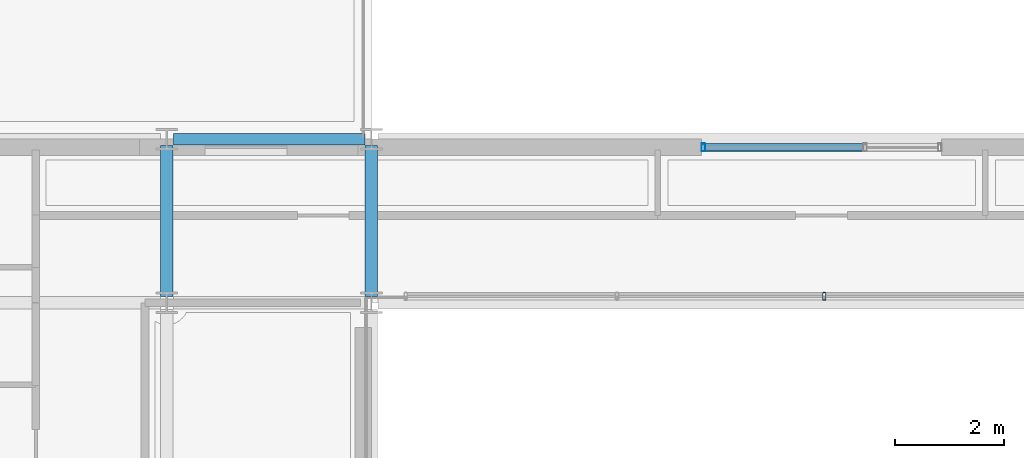
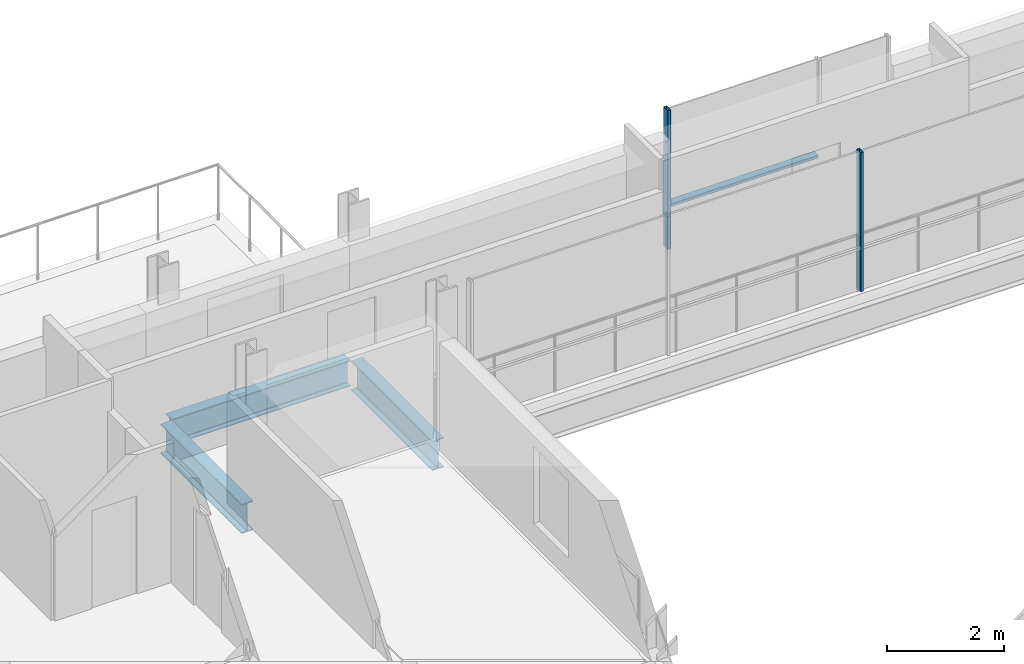
# One storey, part 11 of 38: 3 beams, 3 members, 2 elements without a shape of their own.
"""IFC4 building model written with IfcOpenShell, lengths in metres."""

import ifcopenshell
import ifcopenshell.guid

model = None  # the IFC model being written
_history = None  # IfcOwnerHistory: only IFC2X3 demands one
_inside = {}  # id of a spatial element -> (the spatial element, [elements in it])
_under = {}  # id of a project, library or spatial element -> (it, [spatial elements below it])
_declared = {}  # id of a project -> (the project, [libraries it declares])
_typed = {}  # id of a type object -> (the type object, [elements of that type])
_made_of = {}  # id of a material, layer set ... -> (it, [elements and type objects made of it])


def new_model(schema):
    """Start an empty IFC model of exactly this schema.

    Asked for "IFC4X3", IfcOpenShell would pick the latest addendum, in which some entities
    have other attributes; the version numbers below select the first issue.
    IFC2X3 requires an IfcOwnerHistory on every rooted entity: one is made here for all.
    """
    global model, _history
    if schema == "IFC4X3":
        model = ifcopenshell.file(schema_version=(4, 3, 0, 0))
    else:
        model = ifcopenshell.file(schema=schema)
    _inside.clear()
    _under.clear()
    _declared.clear()
    _typed.clear()
    _made_of.clear()
    _history = None
    if model.schema == "IFC2X3":
        org = make("IfcOrganization", Name="unknown")
        user = make(
            "IfcPersonAndOrganization",
            ThePerson=make("IfcPerson", FamilyName="unknown"),
            TheOrganization=org,
        )
        app = make(
            "IfcApplication",
            ApplicationDeveloper=org,
            Version="unknown",
            ApplicationFullName="unknown",
            ApplicationIdentifier="unknown",
        )
        _history = make(
            "IfcOwnerHistory",
            OwningUser=user,
            OwningApplication=app,
            ChangeAction="ADDED",
            CreationDate=0,
        )
    return model


def make(cls, **values):
    """One entity of the class cls with the attributes given. An attribute that is None is left unset."""
    return model.create_entity(
        cls, **{name: value for name, value in values.items() if value is not None}
    )


def rooted(cls, **values):
    """An entity with a GlobalId (a new one), such as an element, a storey or a relation."""
    return make(cls, GlobalId=ifcopenshell.guid.new(), OwnerHistory=_history, **values)


def si_unit(unit_type, name, prefix=None):
    """IfcSIUnit, for example si_unit("LENGTHUNIT", "METRE", prefix="MILLI")."""
    return make("IfcSIUnit", UnitType=unit_type, Prefix=prefix, Name=name)


def assignment(units):
    """IfcUnitAssignment: the units of a project."""
    return None if units is None else make("IfcUnitAssignment", Units=units)


def point(xyz):
    """IfcCartesianPoint."""
    return None if xyz is None else make("IfcCartesianPoint", Coordinates=xyz)


def direction(xyz):
    """IfcDirection."""
    return None if xyz is None else make("IfcDirection", DirectionRatios=xyz)


def frame(location, z_axis=None, x_axis=None):
    """IfcAxis2Placement3D, a coordinate frame: its origin and axes. An axis left out is left unset."""
    return make(
        "IfcAxis2Placement3D",
        Location=point(location),
        Axis=direction(z_axis),
        RefDirection=direction(x_axis),
    )


def frame_2d(location, x_axis=None):
    """IfcAxis2Placement2D, a coordinate frame in the plane: its origin and x axis."""
    return make(
        "IfcAxis2Placement2D", Location=point(location), RefDirection=direction(x_axis)
    )


def origin():
    """The frame at (0, 0, 0) with its axes left unset."""
    return frame((0.0, 0.0, 0.0))


def origin_2d():
    """The frame at (0, 0) in the plane with its x axis left unset."""
    return frame_2d((0.0, 0.0))


def place(relative_to, where):
    """IfcLocalPlacement: puts the frame where relative to a parent placement (None: the world)."""
    return make(
        "IfcLocalPlacement", PlacementRelTo=relative_to, RelativePlacement=where
    )


def context(
    kind, dimensions, precision=None, world=None, true_north=None, identifier=None
):
    """IfcGeometricRepresentationContext, for example the 3D "Model" context."""
    return make(
        "IfcGeometricRepresentationContext",
        ContextIdentifier=identifier,
        ContextType=kind,
        CoordinateSpaceDimension=dimensions,
        Precision=precision,
        WorldCoordinateSystem=world,
        TrueNorth=true_north,
    )


def subcontext(parent, identifier, kind, view, scale=None):
    """IfcGeometricRepresentationSubContext, for example "Body" below "Model"."""
    return make(
        "IfcGeometricRepresentationSubContext",
        ContextIdentifier=identifier,
        ContextType=kind,
        ParentContext=parent,
        TargetScale=scale,
        TargetView=view,
    )


def project(units=None, contexts=None):
    """IfcProject with its units and contexts."""
    return rooted(
        "IfcProject",
        Name="project",
        RepresentationContexts=contexts,
        UnitsInContext=assignment(units),
    )


def spatial(cls, under=None, at=None, **own):
    """A site, building, storey or space (cls), placed at a placement, below another one or the project."""
    s = rooted(cls, ObjectPlacement=at, **own)
    if under is not None:
        _under.setdefault(under.id(), (under, []))[1].append(s)
    return s


def profile(cls, at=None, kind="AREA", **sizes):
    """A parametric profile (cls). Its sizes go by their IFC names, for example OverallWidth=200.0."""
    return make(cls, ProfileType=kind, Position=at, **sizes)


def hollow_rectangle(**sizes):
    """IfcRectangleHollowProfileDef."""
    return profile("IfcRectangleHollowProfileDef", **sizes)


def i_section(**sizes):
    """IfcIShapeProfileDef."""
    return profile("IfcIShapeProfileDef", **sizes)


def extrude(swept, where, along, depth):
    """IfcExtrudedAreaSolid: the profile swept, set in the frame where, extruded along a direction by depth."""
    return make(
        "IfcExtrudedAreaSolid",
        SweptArea=swept,
        Position=where,
        ExtrudedDirection=direction(along),
        Depth=depth,
    )


def shape(context_of_items, identifier, shape_type, items):
    """IfcShapeRepresentation: the items that make up one representation, for example the "Body"."""
    return make(
        "IfcShapeRepresentation",
        ContextOfItems=context_of_items,
        RepresentationIdentifier=identifier,
        RepresentationType=shape_type,
        Items=items,
    )


def material(Name=None, Category=None):
    """IfcMaterial."""
    return make("IfcMaterial", Name=Name, Category=Category)


def layer(
    of_material, thickness, ventilated=None, Name=None, Category=None, Priority=None
):
    """IfcMaterialLayer: one layer of a wall or slab, of a material (None: an air gap)."""
    return make(
        "IfcMaterialLayer",
        Material=of_material,
        LayerThickness=thickness,
        IsVentilated=ventilated,
        Name=Name,
        Category=Category,
        Priority=Priority,
    )


def layer_set(layers, Name=None):
    """IfcMaterialLayerSet."""
    return make("IfcMaterialLayerSet", MaterialLayers=layers, LayerSetName=Name)


def material_profile(
    of_material, cross_section, Name=None, Category=None, Priority=None
):
    """IfcMaterialProfile: a cross section and its material."""
    return make(
        "IfcMaterialProfile",
        Name=Name,
        Material=of_material,
        Profile=cross_section,
        Priority=Priority,
        Category=Category,
    )


def profile_set(profiles, Name=None, composite=None):
    """IfcMaterialProfileSet."""
    return make(
        "IfcMaterialProfileSet",
        Name=Name,
        MaterialProfiles=profiles,
        CompositeProfile=composite,
    )


def made_of(thing, what):
    """Note that an element or type object is made of a material, layer set ...; save() writes the relation."""
    if what is not None:
        _made_of.setdefault(what.id(), (what, []))[1].append(thing)
    return thing


def type_object(cls, material=None, **own):
    """A type object (cls), such as IfcWallType, which elements share."""
    return made_of(rooted(cls, **own), material)


def element(
    cls,
    number,
    at=None,
    inside=None,
    cuts=None,
    type_object=None,
    material=None,
    context=None,
    identifier="Body",
    shape_type=None,
    held_by="IfcProductDefinitionShape",
    body=None,
    shapes=None,
    **own,
):
    """One element of the class cls, such as IfcWall. Its Tag is "e" and its number.

    at: its placement. inside: the storey or other place that contains it. cuts: it is an
    opening in that element (IfcRelVoidsElement). A single representation is given by context,
    identifier, shape_type and body (its items); several are given by shapes. held_by: the class
    of the entity that holds the representations. save() writes the other relations.
    """
    e = rooted(cls, Tag="e%d" % number, ObjectPlacement=at, **own)
    if body is not None:
        shapes = [shape(context, identifier, shape_type, body)]
    if shapes is not None:
        e.Representation = make(held_by, Representations=shapes)
    if inside is not None:
        _inside.setdefault(inside.id(), (inside, []))[1].append(e)
    if cuts is not None:
        rooted(
            "IfcRelVoidsElement", RelatingBuildingElement=cuts, RelatedOpeningElement=e
        )
    if type_object is not None:
        _typed.setdefault(type_object.id(), (type_object, []))[1].append(e)
    return made_of(e, material)


def aggregate(whole, parts):
    """IfcRelAggregates: a whole, such as a stair, and the parts it consists of."""
    return rooted("IfcRelAggregates", RelatingObject=whole, RelatedObjects=parts)


def save(model, path):
    """Write the relations noted so far, then the file.

    IfcRelAggregates (storeys below a building ...), IfcRelContainedInSpatialStructure (elements
    in a storey), IfcRelDefinesByType, IfcRelAssociatesMaterial and IfcRelDeclares: one each for
    every whole, place, type object, material and project.
    """
    for whole, parts in _under.values():
        aggregate(whole, parts)
    for where, things in _inside.values():
        rooted(
            "IfcRelContainedInSpatialStructure",
            RelatedElements=things,
            RelatingStructure=where,
        )
    for kind, things in _typed.values():
        rooted("IfcRelDefinesByType", RelatedObjects=things, RelatingType=kind)
    for what, things in _made_of.values():
        rooted("IfcRelAssociatesMaterial", RelatedObjects=things, RelatingMaterial=what)
    for by, libraries in _declared.values():
        rooted("IfcRelDeclares", RelatingContext=by, RelatedDefinitions=libraries)
    model.write(path)


model = new_model("IFC4")

# Units and contexts
model_context = context("Model", 3, precision=1e-05, world=origin(), true_north=direction((0.0, 1.0)))
body_context = subcontext(model_context, "Body", "Model", "MODEL_VIEW")
ifc_project = project(units=[si_unit("LENGTHUNIT", "METRE"), si_unit("AREAUNIT", "SQUARE_METRE"), si_unit("VOLUMEUNIT", "CUBIC_METRE"), si_unit("PLANEANGLEUNIT", "RADIAN"), si_unit("MASSUNIT", "GRAM", prefix="KILO")], contexts=[model_context])

# Site, building, storey
site_placement = place(None, origin())
site = spatial("IfcSite", under=ifc_project, at=site_placement, CompositionType="ELEMENT")
building_placement = place(site_placement, origin())
building = spatial("IfcBuilding", under=site, at=building_placement, Name="Brevholm Reach", CompositionType="ELEMENT")
storey_placement = place(building_placement, frame((0.0, 0.0, 172.800048828125)))
storey = spatial("IfcBuildingStorey", under=building, at=storey_placement, Name="L52", CompositionType="ELEMENT", Elevation=172.800048828125)

# Beams
ifc_material_1 = material(Name="Structural Steel S355J2", Category="steel")
ifc_material_profile_1 = material_profile(ifc_material_1, i_section(OverallWidth=0.209228515625, OverallDepth=0.533203125, WebThickness=0.010009765625, FlangeThickness=0.015625, FilletRadius=0.0126953125, at=origin_2d()), Name="UKB 533x210x92")
ifc_profile_set_1 = profile_set([ifc_material_profile_1], Name="Structural Steel S355J2")
beam_type_1 = type_object("IfcBeamType", Name="BM-SP533", PredefinedType="SPANDREL", material=ifc_profile_set_1)
beam_placement = place(storey_placement, frame((18.1201171875, 26.5, -0.4765625), z_axis=(1.0, 0.0, 0.0), x_axis=(0.0, 1.0, 0.0)))
element("IfcBeam", 1, at=beam_placement, inside=storey, type_object=beam_type_1, Name="L52 SP-02 Framing Beam", PredefinedType="SPANDREL", context=body_context, shape_type="SweptSolid", body=[
    extrude(i_section(OverallWidth=0.209228515625, OverallDepth=0.533203125, WebThickness=0.010009765625, FlangeThickness=0.015625, FilletRadius=0.0126953125, at=origin_2d()), origin(), (0.0, 0.0, 1.0), 3.509765625),
])
ifc_material_2 = material(Name="Structural Steel S355J2", Category="steel")
ifc_material_profile_2 = material_profile(ifc_material_2, i_section(OverallWidth=0.22900390625, OverallDepth=0.6123046875, WebThickness=0.011962890625, FlangeThickness=0.01953125, FilletRadius=0.0126953125, at=origin_2d()), Name="UKB 610x229x125")
ifc_profile_set_2 = profile_set([ifc_material_profile_2], Name="Structural Steel S355J2")
beam_type_2 = type_object("IfcBeamType", Name="BM-SP610", PredefinedType="SPANDREL", material=ifc_profile_set_2)
for number, where, z_axis, x_axis, name in (
    (2, (18.0, 23.6201171875, -0.51611328125), (0.0, 1.0, 0.0), (-1.0, 0.0, 0.0), "L52 SP-01 Framing Beam"),
    (3, (21.75, 23.6201171875, -0.51611328125), (0.0, 1.0, 0.0), (-1.0, 0.0, 0.0), "L52 SP-01 Framing Beam"),
):
    element("IfcBeam", number, at=place(storey_placement, frame(where, z_axis=z_axis, x_axis=x_axis)), inside=storey, type_object=beam_type_2, Name=name, PredefinedType="SPANDREL", context=body_context, shape_type="SweptSolid", body=[
        extrude(i_section(OverallWidth=0.22900390625, OverallDepth=0.6123046875, WebThickness=0.011962890625, FlangeThickness=0.01953125, FilletRadius=0.0126953125, at=origin_2d()), origin(), (0.0, 0.0, 1.0), 2.759765625),
    ])

# Curtain wall, member
ifc_material_3 = material(Name="Dark Anodised Aluminium 6063-T6 and Solar-Control Glass", Category="aluminium")
ifc_layer_1 = layer(ifc_material_3, 0.139892578125)
ifc_layer_set_1 = layer_set([ifc_layer_1], Name="Dark Anodised Aluminium 6063-T6 and Solar-Control Glass")
curtain_wall_type_1 = type_object("IfcCurtainWallType", Name="CW-02", PredefinedType="NOTDEFINED", material=ifc_layer_set_1)
curtain_wall_1_placement = place(storey_placement, origin())
curtain_wall_1 = element("IfcCurtainWall", 4, at=curtain_wall_1_placement, inside=storey, type_object=curtain_wall_type_1, Name="L52 Curtain Wall CW-02", PredefinedType="NOTDEFINED")
ifc_material_4 = material(Name="Dark Anodised Aluminium 6063-T6", Category="aluminium")
ifc_material_profile_3 = material_profile(ifc_material_4, hollow_rectangle(XDim=0.06005859375, YDim=0.139892578125, WallThickness=0.0048828125, InnerFilletRadius=0.0048828125, OuterFilletRadius=0.010009765625, at=origin_2d()), Name="RHS 140x60x5")
ifc_profile_set_3 = profile_set([ifc_material_profile_3], Name="Dark Anodised Aluminium 6063-T6")
member_type_1 = type_object("IfcMemberType", Name="CWM-140", PredefinedType="MULLION", material=ifc_profile_set_3)
member_1_placement = place(storey_placement, frame((30.050048828125, 23.6201171875, 0.0), z_axis=(0.0, 0.0, 1.0), x_axis=(-1.0, 0.0, 0.0)))
member_1 = element("IfcMember", 5, at=member_1_placement, type_object=member_type_1, Name="CM-140 Mullion 3", PredefinedType="MULLION", context=body_context, shape_type="SweptSolid", body=[
    extrude(hollow_rectangle(XDim=0.06005859375, YDim=0.139892578125, WallThickness=0.0048828125, InnerFilletRadius=0.0048828125, OuterFilletRadius=0.010009765625, at=origin_2d()), origin(), (0.0, 0.0, 1.0), 2.889892578125),
])
aggregate(curtain_wall_1, [member_1])

# Curtain wall, members
ifc_material_5 = material(Name="Dark Anodised Aluminium 6063-T6 and Solar-Control Glass", Category="aluminium")
ifc_layer_2 = layer(ifc_material_5, 0.14990234375)
ifc_layer_set_2 = layer_set([ifc_layer_2], Name="Dark Anodised Aluminium 6063-T6 and Solar-Control Glass")
curtain_wall_type_2 = type_object("IfcCurtainWallType", Name="CW-01", PredefinedType="NOTDEFINED", material=ifc_layer_set_2)
curtain_wall_2_placement = place(storey_placement, origin())
curtain_wall_2 = element("IfcCurtainWall", 6, at=curtain_wall_2_placement, inside=storey, type_object=curtain_wall_type_2, Name="L52 Curtain Wall CW-01", PredefinedType="NOTDEFINED")
ifc_material_6 = material(Name="Dark Anodised Aluminium 6063-T6", Category="aluminium")
ifc_material_profile_4 = material_profile(ifc_material_6, hollow_rectangle(XDim=0.06494140625, YDim=0.14990234375, WallThickness=0.0048828125, InnerFilletRadius=0.0048828125, OuterFilletRadius=0.010009765625, at=origin_2d()), Name="RHS 150x65x5")
ifc_profile_set_4 = profile_set([ifc_material_profile_4], Name="Dark Anodised Aluminium 6063-T6")
member_type_2 = type_object("IfcMemberType", Name="CWM-150", PredefinedType="MULLION", material=ifc_profile_set_4)
member_2_placement = place(storey_placement, frame((27.83251953125, 26.35009765625, 0.0), z_axis=(0.0, 0.0, 1.0), x_axis=(1.0, 0.0, 0.0)))
member_2 = element("IfcMember", 7, at=member_2_placement, type_object=member_type_2, Name="CM-150 Mullion 1", PredefinedType="MULLION", context=body_context, shape_type="SweptSolid", body=[
    extrude(hollow_rectangle(XDim=0.06494140625, YDim=0.14990234375, WallThickness=0.0048828125, InnerFilletRadius=0.0048828125, OuterFilletRadius=0.010009765625, at=origin_2d()), origin(), (0.0, 0.0, 1.0), 2.889892578125),
])
ifc_material_7 = material(Name="Dark Anodised Aluminium 6063-T6", Category="aluminium")
ifc_material_profile_5 = material_profile(ifc_material_7, hollow_rectangle(XDim=0.06494140625, YDim=0.14990234375, WallThickness=0.0048828125, InnerFilletRadius=0.0048828125, OuterFilletRadius=0.010009765625, at=origin_2d()), Name="RHS 150x65x5")
ifc_profile_set_5 = profile_set([ifc_material_profile_5], Name="Dark Anodised Aluminium 6063-T6")
member_type_3 = type_object("IfcMemberType", Name="CWT-150", PredefinedType="NOTDEFINED", material=ifc_profile_set_5)
member_3_placement = place(storey_placement, frame((27.864990234375, 26.35009765625, 0.89990234375), z_axis=(1.0, 0.0, 0.0), x_axis=(0.0, 0.0, 1.0)))
member_3 = element("IfcMember", 8, at=member_3_placement, type_object=member_type_3, Name="CT-150 Transom 1.1", ObjectType="TRANSOM", PredefinedType="USERDEFINED", context=body_context, shape_type="SweptSolid", body=[
    extrude(hollow_rectangle(XDim=0.06494140625, YDim=0.14990234375, WallThickness=0.0048828125, InnerFilletRadius=0.0048828125, OuterFilletRadius=0.010009765625, at=origin_2d()), origin(), (0.0, 0.0, 1.0), 2.902587890625),
])
aggregate(curtain_wall_2, [member_2, member_3])

save(model, "model.ifc")
